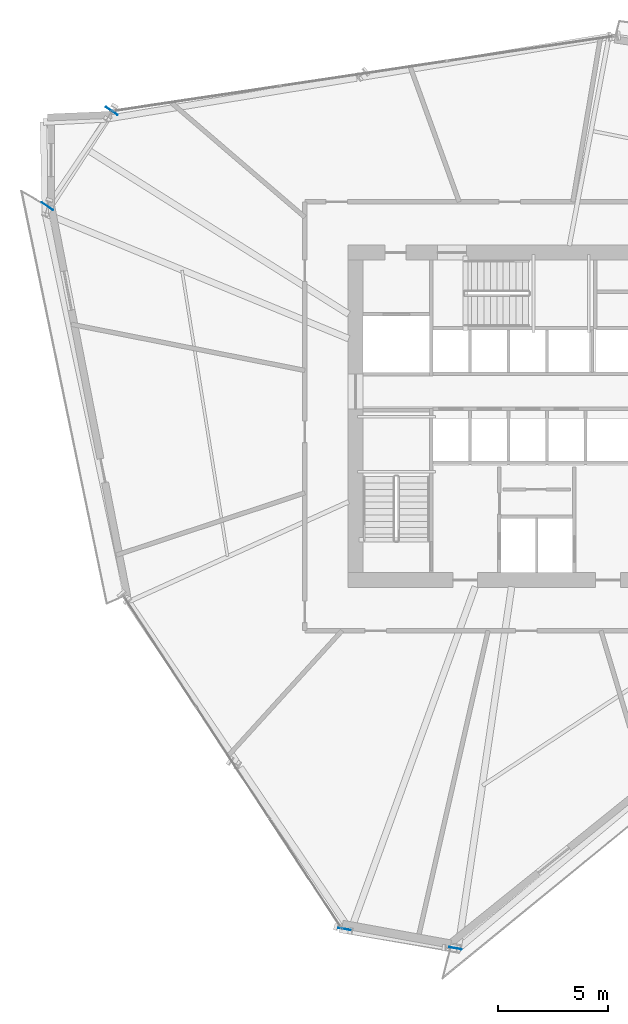
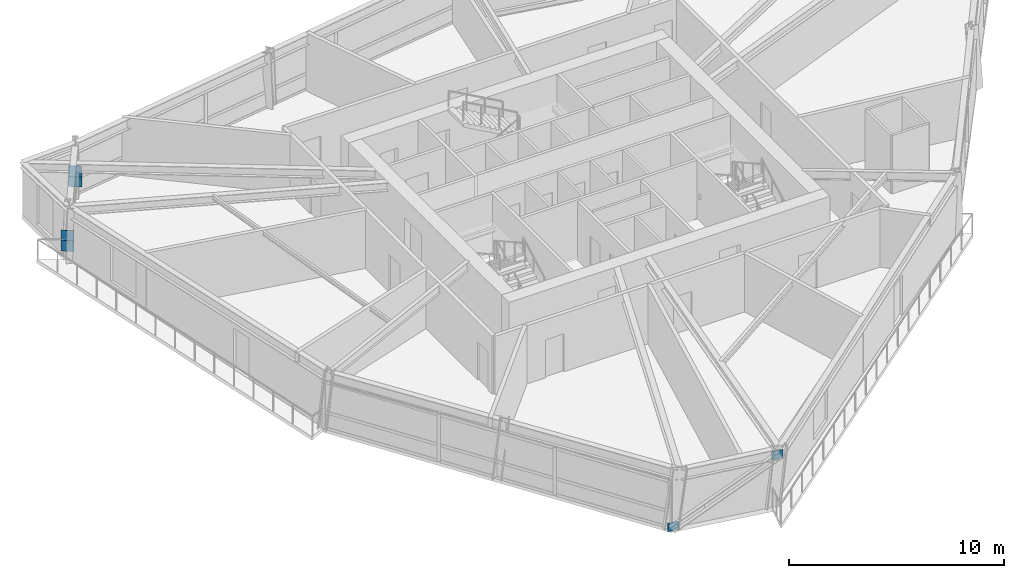
# One storey, part 7 of 14: 6 plates.
"""IFC4 building model written with IfcOpenShell, lengths in metres."""

from ifc_helpers import new_model, si_unit, direction, frame, origin, origin_2d, place, context, subcontext, project, spatial, rectangle, extrude, source, transform, mapped, material, type_object, element, save


model = new_model("IFC4")

# Units and contexts
model_context = context("Model", 3, precision=1e-05, world=origin(), true_north=direction((0.0, 1.0)))
body_context = subcontext(model_context, "Body", "Model", "MODEL_VIEW")
ifc_project = project(units=[si_unit("LENGTHUNIT", "METRE"), si_unit("AREAUNIT", "SQUARE_METRE"), si_unit("VOLUMEUNIT", "CUBIC_METRE"), si_unit("PLANEANGLEUNIT", "RADIAN"), si_unit("MASSUNIT", "GRAM", prefix="KILO")], contexts=[model_context])

# Site, building, storey
site_placement = place(None, origin())
site = spatial("IfcSite", under=ifc_project, at=site_placement, CompositionType="ELEMENT")
building_placement = place(site_placement, origin())
building = spatial("IfcBuilding", under=site, at=building_placement, Name="Olszyna Solenne Hotel", CompositionType="ELEMENT")
storey_placement = place(building_placement, frame((0.0, 0.0, 130.550048828125)))
storey = spatial("IfcBuildingStorey", under=building, at=storey_placement, Name="L34", CompositionType="ELEMENT", Elevation=130.550048828125)

# Plates
ifc_material_1 = material(Name="Steel S460M", Category="steel")
plate_type_1 = type_object("IfcPlateType", Name="GP-CAP2", PredefinedType="USERDEFINED", material=ifc_material_1)
shared_shape_1 = source(origin(), body_context, "Body", "SweptSolid", [
    extrude(rectangle(XDim=0.030029296875, YDim=0.6201171875, at=origin_2d()), origin(), (0.0, 0.0, 1.0), 0.6201171875),
])
for number, where, z_axis, x_axis, name in (
    (1, (18.662841796875, 40.48291015625, 1.039794921875), (0.0, 0.0, 1.0), (-0.559192903471, -0.829037572555, 0.0), "Hollow section end-cap plate GP-CAP2 CP-PR-M-L34-PR1-1"),
    (2, (15.739501953125, 36.148681640625, 1.039794921875), (0.0, 0.0, 1.0), (-0.559192903471, -0.829037572555, 0.0), "Hollow section end-cap plate GP-CAP2 CP-PR-M-L34-PR1-2"),
    (3, (18.662841796875, 40.48291015625, 0.469970703125), (0.0, 0.0, 1.0), (-0.559192903471, -0.829037572555, 0.0), "Hollow section end-cap plate GP-CAP2 CP-PR-M-L34-PR2-1"),
    (4, (15.739501953125, 36.148681640625, 0.469970703125), (0.0, 0.0, 1.0), (-0.559192903471, -0.829037572555, 0.0), "Hollow section end-cap plate GP-CAP2 CP-PR-M-L34-PR2-2"),
):
    element("IfcPlate", number, at=place(storey_placement, frame(where, z_axis=z_axis, x_axis=x_axis)), inside=storey, type_object=plate_type_1, Name=name, ObjectType="GUSSET_PLATE", PredefinedType="USERDEFINED", context=body_context, shape_type="MappedRepresentation", body=[
        mapped(shared_shape_1, transform((0.0, 0.0, 0.0), x_axis=(1.0, 0.0, 0.0), y_axis=(0.0, 1.0, 0.0), z_axis=(0.0, 0.0, 1.0), scale=1.0)),
    ])
ifc_material_2 = material(Name="Steel S355J2", Category="steel")
plate_type_2 = type_object("IfcPlateType", Name="GP-ND2", PredefinedType="USERDEFINED", material=ifc_material_2)
shared_shape_2 = source(origin(), body_context, "Body", "SweptSolid", [
    extrude(rectangle(XDim=0.56005859375, YDim=0.02001953125, at=origin_2d()), origin(), (0.0, 0.0, 1.0), 0.47998046875),
])
for number, where, z_axis, x_axis, name in (
    (5, (29.247802734375, 3.276123046875, -0.162353515625), (0.0, 0.0, 1.0), (0.985288829708, -0.170897402123, 0.0), "Brace end connection gusset plate GP-ND2 EP-BR-L34-3-1"),
    (6, (34.298583984375, 2.400146484375, 2.662353515625), (0.0, 0.0, 1.0), (0.985288829708, -0.170897402123, 0.0), "Brace end connection gusset plate GP-ND2 EP-BR-L34-3-2"),
):
    element("IfcPlate", number, at=place(storey_placement, frame(where, z_axis=z_axis, x_axis=x_axis)), inside=storey, type_object=plate_type_2, Name=name, ObjectType="GUSSET_PLATE", PredefinedType="USERDEFINED", context=body_context, shape_type="MappedRepresentation", body=[
        mapped(shared_shape_2, transform((0.0, 0.0, 0.0), x_axis=(1.0, 0.0, 0.0), y_axis=(0.0, 1.0, 0.0), z_axis=(0.0, 0.0, 1.0), scale=1.0)),
    ])

save(model, "model.ifc")
